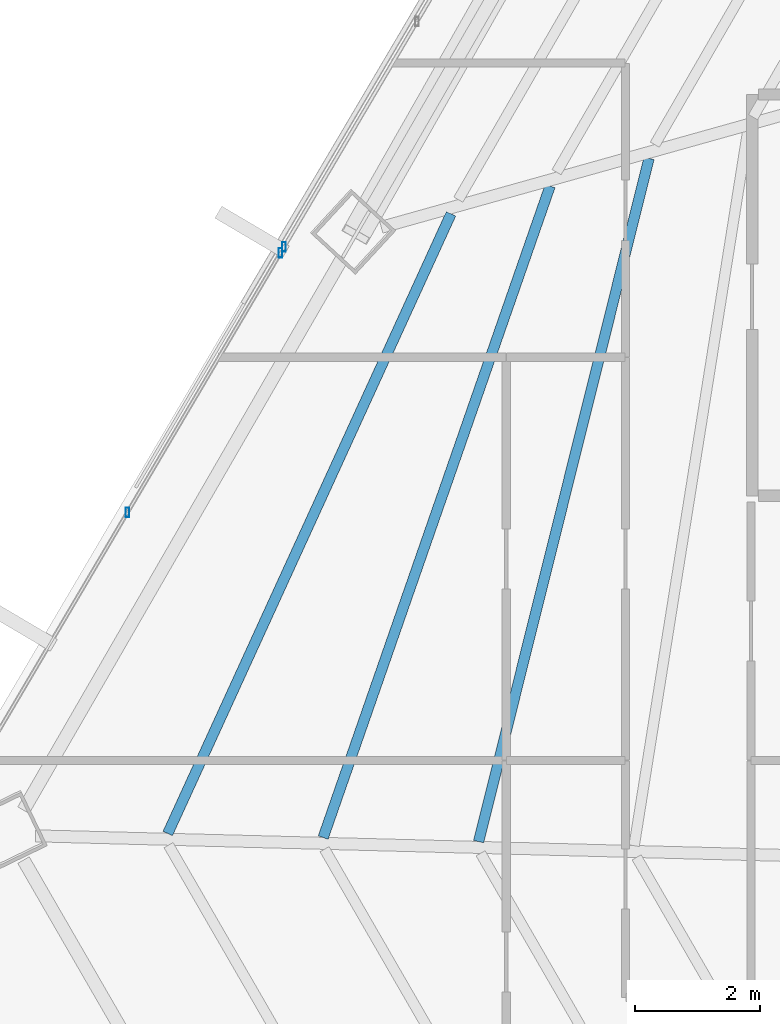
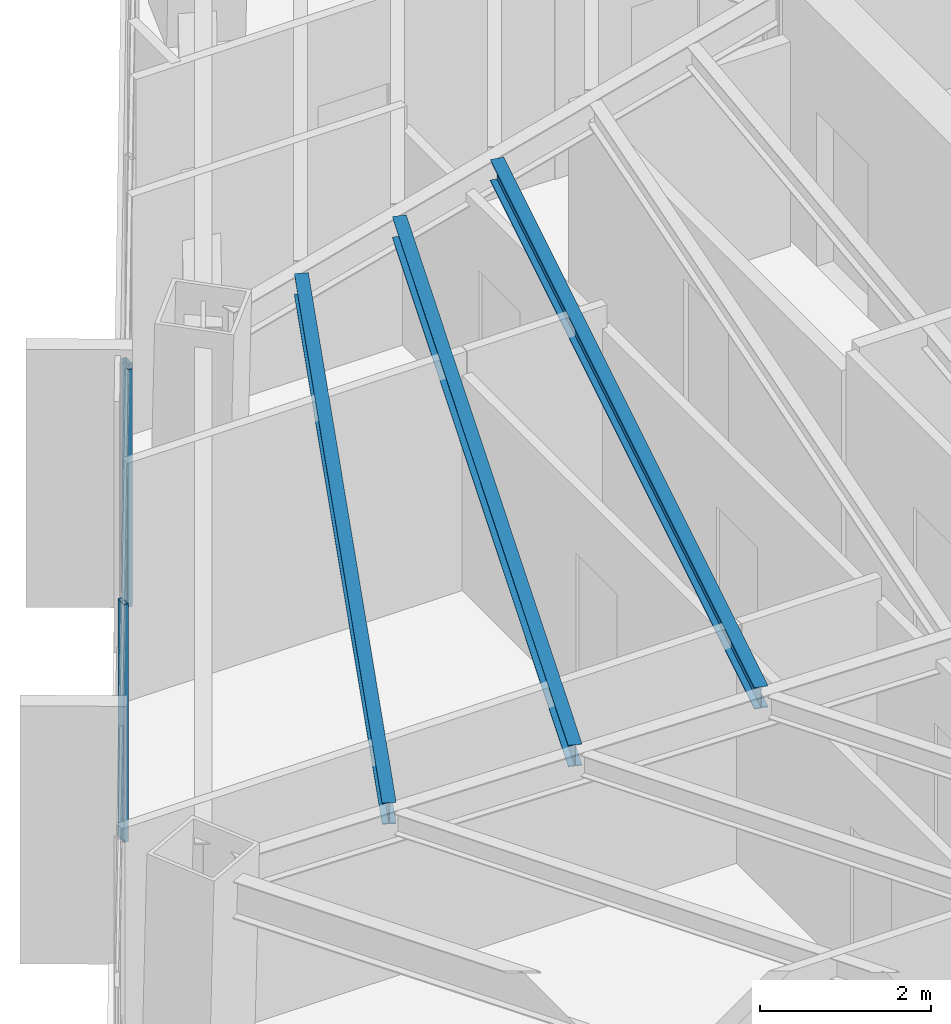
# One storey, part 12 of 41: 3 beams, 3 members, 2 elements without a shape of their own.
"""IFC4 building model written with IfcOpenShell, lengths in metres."""

import ifcopenshell
import ifcopenshell.guid

model = None  # the IFC model being written
_history = None  # IfcOwnerHistory: only IFC2X3 demands one
_inside = {}  # id of a spatial element -> (the spatial element, [elements in it])
_under = {}  # id of a project, library or spatial element -> (it, [spatial elements below it])
_declared = {}  # id of a project -> (the project, [libraries it declares])
_typed = {}  # id of a type object -> (the type object, [elements of that type])
_made_of = {}  # id of a material, layer set ... -> (it, [elements and type objects made of it])


def new_model(schema):
    """Start an empty IFC model of exactly this schema.

    Asked for "IFC4X3", IfcOpenShell would pick the latest addendum, in which some entities
    have other attributes; the version numbers below select the first issue.
    IFC2X3 requires an IfcOwnerHistory on every rooted entity: one is made here for all.
    """
    global model, _history
    if schema == "IFC4X3":
        model = ifcopenshell.file(schema_version=(4, 3, 0, 0))
    else:
        model = ifcopenshell.file(schema=schema)
    _inside.clear()
    _under.clear()
    _declared.clear()
    _typed.clear()
    _made_of.clear()
    _history = None
    if model.schema == "IFC2X3":
        org = make("IfcOrganization", Name="unknown")
        user = make(
            "IfcPersonAndOrganization",
            ThePerson=make("IfcPerson", FamilyName="unknown"),
            TheOrganization=org,
        )
        app = make(
            "IfcApplication",
            ApplicationDeveloper=org,
            Version="unknown",
            ApplicationFullName="unknown",
            ApplicationIdentifier="unknown",
        )
        _history = make(
            "IfcOwnerHistory",
            OwningUser=user,
            OwningApplication=app,
            ChangeAction="ADDED",
            CreationDate=0,
        )
    return model


def make(cls, **values):
    """One entity of the class cls with the attributes given. An attribute that is None is left unset."""
    return model.create_entity(
        cls, **{name: value for name, value in values.items() if value is not None}
    )


def rooted(cls, **values):
    """An entity with a GlobalId (a new one), such as an element, a storey or a relation."""
    return make(cls, GlobalId=ifcopenshell.guid.new(), OwnerHistory=_history, **values)


def si_unit(unit_type, name, prefix=None):
    """IfcSIUnit, for example si_unit("LENGTHUNIT", "METRE", prefix="MILLI")."""
    return make("IfcSIUnit", UnitType=unit_type, Prefix=prefix, Name=name)


def assignment(units):
    """IfcUnitAssignment: the units of a project."""
    return None if units is None else make("IfcUnitAssignment", Units=units)


def point(xyz):
    """IfcCartesianPoint."""
    return None if xyz is None else make("IfcCartesianPoint", Coordinates=xyz)


def direction(xyz):
    """IfcDirection."""
    return None if xyz is None else make("IfcDirection", DirectionRatios=xyz)


def frame(location, z_axis=None, x_axis=None):
    """IfcAxis2Placement3D, a coordinate frame: its origin and axes. An axis left out is left unset."""
    return make(
        "IfcAxis2Placement3D",
        Location=point(location),
        Axis=direction(z_axis),
        RefDirection=direction(x_axis),
    )


def frame_2d(location, x_axis=None):
    """IfcAxis2Placement2D, a coordinate frame in the plane: its origin and x axis."""
    return make(
        "IfcAxis2Placement2D", Location=point(location), RefDirection=direction(x_axis)
    )


def origin():
    """The frame at (0, 0, 0) with its axes left unset."""
    return frame((0.0, 0.0, 0.0))


def origin_2d():
    """The frame at (0, 0) in the plane with its x axis left unset."""
    return frame_2d((0.0, 0.0))


def place(relative_to, where):
    """IfcLocalPlacement: puts the frame where relative to a parent placement (None: the world)."""
    return make(
        "IfcLocalPlacement", PlacementRelTo=relative_to, RelativePlacement=where
    )


def context(
    kind, dimensions, precision=None, world=None, true_north=None, identifier=None
):
    """IfcGeometricRepresentationContext, for example the 3D "Model" context."""
    return make(
        "IfcGeometricRepresentationContext",
        ContextIdentifier=identifier,
        ContextType=kind,
        CoordinateSpaceDimension=dimensions,
        Precision=precision,
        WorldCoordinateSystem=world,
        TrueNorth=true_north,
    )


def subcontext(parent, identifier, kind, view, scale=None):
    """IfcGeometricRepresentationSubContext, for example "Body" below "Model"."""
    return make(
        "IfcGeometricRepresentationSubContext",
        ContextIdentifier=identifier,
        ContextType=kind,
        ParentContext=parent,
        TargetScale=scale,
        TargetView=view,
    )


def project(units=None, contexts=None):
    """IfcProject with its units and contexts."""
    return rooted(
        "IfcProject",
        Name="project",
        RepresentationContexts=contexts,
        UnitsInContext=assignment(units),
    )


def spatial(cls, under=None, at=None, **own):
    """A site, building, storey or space (cls), placed at a placement, below another one or the project."""
    s = rooted(cls, ObjectPlacement=at, **own)
    if under is not None:
        _under.setdefault(under.id(), (under, []))[1].append(s)
    return s


def profile(cls, at=None, kind="AREA", **sizes):
    """A parametric profile (cls). Its sizes go by their IFC names, for example OverallWidth=200.0."""
    return make(cls, ProfileType=kind, Position=at, **sizes)


def hollow_rectangle(**sizes):
    """IfcRectangleHollowProfileDef."""
    return profile("IfcRectangleHollowProfileDef", **sizes)


def i_section(**sizes):
    """IfcIShapeProfileDef."""
    return profile("IfcIShapeProfileDef", **sizes)


def extrude(swept, where, along, depth):
    """IfcExtrudedAreaSolid: the profile swept, set in the frame where, extruded along a direction by depth."""
    return make(
        "IfcExtrudedAreaSolid",
        SweptArea=swept,
        Position=where,
        ExtrudedDirection=direction(along),
        Depth=depth,
    )


def shape(context_of_items, identifier, shape_type, items):
    """IfcShapeRepresentation: the items that make up one representation, for example the "Body"."""
    return make(
        "IfcShapeRepresentation",
        ContextOfItems=context_of_items,
        RepresentationIdentifier=identifier,
        RepresentationType=shape_type,
        Items=items,
    )


def source(mapping_origin, context_of_items, identifier, shape_type, items):
    """IfcRepresentationMap: a shape defined once, which mapped items show again and again."""
    return make(
        "IfcRepresentationMap",
        MappingOrigin=mapping_origin,
        MappedRepresentation=shape(context_of_items, identifier, shape_type, items),
    )


def transform(
    local_origin,
    x_axis=None,
    y_axis=None,
    z_axis=None,
    scale=None,
    scale2=None,
    scale3=None,
    uniform=True,
):
    """IfcCartesianTransformationOperator3D, or its non-uniform kind. x_axis, y_axis, z_axis: its Axis1, 2, 3."""
    if uniform:
        return make(
            "IfcCartesianTransformationOperator3D",
            Axis1=direction(x_axis),
            Axis2=direction(y_axis),
            LocalOrigin=point(local_origin),
            Scale=scale,
            Axis3=direction(z_axis),
        )
    return make(
        "IfcCartesianTransformationOperator3DnonUniform",
        Axis1=direction(x_axis),
        Axis2=direction(y_axis),
        LocalOrigin=point(local_origin),
        Scale=scale,
        Axis3=direction(z_axis),
        Scale2=scale2,
        Scale3=scale3,
    )


def mapped(mapping_source, mapping_target):
    """IfcMappedItem: shows the shape of a source again, moved by a transform."""
    return make(
        "IfcMappedItem", MappingSource=mapping_source, MappingTarget=mapping_target
    )


def material(Name=None, Category=None):
    """IfcMaterial."""
    return make("IfcMaterial", Name=Name, Category=Category)


def material_profile(
    of_material, cross_section, Name=None, Category=None, Priority=None
):
    """IfcMaterialProfile: a cross section and its material."""
    return make(
        "IfcMaterialProfile",
        Name=Name,
        Material=of_material,
        Profile=cross_section,
        Priority=Priority,
        Category=Category,
    )


def profile_set(profiles, Name=None, composite=None):
    """IfcMaterialProfileSet."""
    return make(
        "IfcMaterialProfileSet",
        Name=Name,
        MaterialProfiles=profiles,
        CompositeProfile=composite,
    )


def made_of(thing, what):
    """Note that an element or type object is made of a material, layer set ...; save() writes the relation."""
    if what is not None:
        _made_of.setdefault(what.id(), (what, []))[1].append(thing)
    return thing


def type_object(cls, material=None, **own):
    """A type object (cls), such as IfcWallType, which elements share."""
    return made_of(rooted(cls, **own), material)


def type_shapes(of_type, sources):
    """Give a type object the sources (RepresentationMaps) that its elements show as mapped items."""
    of_type.RepresentationMaps = sources


def element(
    cls,
    number,
    at=None,
    inside=None,
    cuts=None,
    type_object=None,
    material=None,
    context=None,
    identifier="Body",
    shape_type=None,
    held_by="IfcProductDefinitionShape",
    body=None,
    shapes=None,
    **own,
):
    """One element of the class cls, such as IfcWall. Its Tag is "e" and its number.

    at: its placement. inside: the storey or other place that contains it. cuts: it is an
    opening in that element (IfcRelVoidsElement). A single representation is given by context,
    identifier, shape_type and body (its items); several are given by shapes. held_by: the class
    of the entity that holds the representations. save() writes the other relations.
    """
    e = rooted(cls, Tag="e%d" % number, ObjectPlacement=at, **own)
    if body is not None:
        shapes = [shape(context, identifier, shape_type, body)]
    if shapes is not None:
        e.Representation = make(held_by, Representations=shapes)
    if inside is not None:
        _inside.setdefault(inside.id(), (inside, []))[1].append(e)
    if cuts is not None:
        rooted(
            "IfcRelVoidsElement", RelatingBuildingElement=cuts, RelatedOpeningElement=e
        )
    if type_object is not None:
        _typed.setdefault(type_object.id(), (type_object, []))[1].append(e)
    return made_of(e, material)


def aggregate(whole, parts):
    """IfcRelAggregates: a whole, such as a stair, and the parts it consists of."""
    return rooted("IfcRelAggregates", RelatingObject=whole, RelatedObjects=parts)


def save(model, path):
    """Write the relations noted so far, then the file.

    IfcRelAggregates (storeys below a building ...), IfcRelContainedInSpatialStructure (elements
    in a storey), IfcRelDefinesByType, IfcRelAssociatesMaterial and IfcRelDeclares: one each for
    every whole, place, type object, material and project.
    """
    for whole, parts in _under.values():
        aggregate(whole, parts)
    for where, things in _inside.values():
        rooted(
            "IfcRelContainedInSpatialStructure",
            RelatedElements=things,
            RelatingStructure=where,
        )
    for kind, things in _typed.values():
        rooted("IfcRelDefinesByType", RelatedObjects=things, RelatingType=kind)
    for what, things in _made_of.values():
        rooted("IfcRelAssociatesMaterial", RelatedObjects=things, RelatingMaterial=what)
    for by, libraries in _declared.values():
        rooted("IfcRelDeclares", RelatingContext=by, RelatedDefinitions=libraries)
    model.write(path)


model = new_model("IFC4")

# Units and contexts
model_context = context("Model", 3, precision=1e-05, world=origin(), true_north=direction((0.0, 1.0)))
body_context = subcontext(model_context, "Body", "Model", "MODEL_VIEW")
ifc_project = project(units=[si_unit("LENGTHUNIT", "METRE"), si_unit("AREAUNIT", "SQUARE_METRE"), si_unit("VOLUMEUNIT", "CUBIC_METRE"), si_unit("PLANEANGLEUNIT", "RADIAN"), si_unit("MASSUNIT", "GRAM", prefix="KILO")], contexts=[model_context])

# Site, building, storey
site_placement = place(None, origin())
site = spatial("IfcSite", under=ifc_project, at=site_placement, CompositionType="ELEMENT")
building_placement = place(site_placement, origin())
building = spatial("IfcBuilding", under=site, at=building_placement, Name="Caelisora Broadcast Tower", CompositionType="ELEMENT")
storey_placement = place(building_placement, frame((0.0, 0.0, 169.449951171875)))
storey = spatial("IfcBuildingStorey", under=building, at=storey_placement, Name="L44", CompositionType="ELEMENT", Elevation=169.449951171875)

# Beams
ifc_material_1 = material(Name="Steel Grade 350 (AS/NZS 3679.1)", Category="steel")
ifc_material_profile_1 = material_profile(ifc_material_1, i_section(OverallWidth=0.166015625, OverallDepth=0.30712890625, WebThickness=0.006591796875, FlangeThickness=0.01171875, at=origin_2d()), Name="Steel Grade 350 (AS/NZS 3679.1)")
ifc_profile_set_1 = profile_set([ifc_material_profile_1], Name="Steel Grade 350 (AS/NZS 3679.1)")
beam_type = type_object("IfcBeamType", Name="SB03", PredefinedType="JOIST", material=ifc_profile_set_1)
shared_shape_1 = source(origin(), body_context, "Body", "SweptSolid", [
    extrude(i_section(OverallWidth=0.166015625, OverallDepth=0.30712890625, WebThickness=0.006591796875, FlangeThickness=0.01171875, at=origin_2d()), origin(), (0.0, 0.0, 1.0), 11.227294921875),
])
beam_1_placement = place(storey_placement, frame((25.775390625, 28.580810546875, 3.246337890625), z_axis=(-0.241936946665, -0.9702919735, 0.0), x_axis=(0.9702919735, -0.241936946665, 0.0)))
element("IfcBeam", 1, at=beam_1_placement, inside=storey, type_object=beam_type, Name="L44 beam SB03", PredefinedType="JOIST", context=body_context, shape_type="MappedRepresentation", body=[
    mapped(shared_shape_1, transform((0.0, 0.0, 0.0), scale=1.0)),
])
shared_shape_2 = source(origin(), body_context, "Body", "SweptSolid", [
    extrude(i_section(OverallWidth=0.166015625, OverallDepth=0.30712890625, WebThickness=0.006591796875, FlangeThickness=0.01171875, at=origin_2d()), origin(), (0.0, 0.0, 1.0), 10.99951171875),
])
beam_2_placement = place(storey_placement, frame((24.197998046875, 28.13916015625, 3.246337890625), z_axis=(-0.328917460299, -0.944358673551, 0.0), x_axis=(0.944358673551, -0.328917460299, 0.0)))
element("IfcBeam", 2, at=beam_2_placement, inside=storey, type_object=beam_type, Name="L44 beam SB03", PredefinedType="JOIST", context=body_context, shape_type="MappedRepresentation", body=[
    mapped(shared_shape_2, transform((0.0, 0.0, 0.0), scale=1.0)),
])
shared_shape_3 = source(origin(), body_context, "Body", "SweptSolid", [
    extrude(i_section(OverallWidth=0.166015625, OverallDepth=0.30712890625, WebThickness=0.006591796875, FlangeThickness=0.01171875, at=origin_2d()), origin(), (0.0, 0.0, 1.0), 10.863525390625),
])
type_shapes(beam_type, [shared_shape_1, shared_shape_2, shared_shape_3])
beam_3_placement = place(storey_placement, frame((22.618408203125, 27.69677734375, 3.246337890625), z_axis=(-0.415739046819, -0.909483944306, 0.0), x_axis=(0.909483944306, -0.415739046819, 0.0)))
element("IfcBeam", 3, at=beam_3_placement, inside=storey, type_object=beam_type, Name="L44 beam SB03", PredefinedType="JOIST", context=body_context, shape_type="MappedRepresentation", body=[
    mapped(shared_shape_3, transform((0.0, 0.0, 0.0), scale=1.0)),
])

# Curtain wall, members
ifc_material_2 = material(Name="Unitised Aluminium and Low-E Glass Curtain Wall", Category="glass")
curtain_wall_type_1 = type_object("IfcCurtainWallType", Name="CW-Z3", PredefinedType="NOTDEFINED", material=ifc_material_2)
curtain_wall_1_placement = place(storey_placement, origin())
curtain_wall_1 = element("IfcCurtainWall", 4, at=curtain_wall_1_placement, inside=storey, type_object=curtain_wall_type_1, Name="L44 curtain wall CW-Z3", PredefinedType="NOTDEFINED")
ifc_material_3 = material(Name="Aluminium 6063-T6 Anodised Terracotta Bronze", Category="aluminium")
ifc_material_profile_2 = material_profile(ifc_material_3, hollow_rectangle(XDim=0.06005859375, YDim=0.14990234375, WallThickness=0.00341796875, at=origin_2d()), Name="Aluminium 6063-T6 Anodised Terracotta Bronze")
ifc_profile_set_2 = profile_set([ifc_material_profile_2], Name="Aluminium 6063-T6 Anodised Terracotta Bronze")
member_type = type_object("IfcMemberType", Name="CWM-03", PredefinedType="MULLION", material=ifc_profile_set_2)
shared_shape_4 = source(origin(), body_context, "Body", "SweptSolid", [
    extrude(hollow_rectangle(XDim=0.06005859375, YDim=0.14990234375, WallThickness=0.00341796875, at=origin_2d()), origin(), (0.0, 0.0, 1.0), 3.400146484375),
])
type_shapes(member_type, [shared_shape_4])
member_1_placement = place(storey_placement, frame((17.4609375, 22.9375, 0.0), z_axis=(0.0, 0.0, 1.0), x_axis=(1.0, 0.0, 0.0)))
member_1 = element("IfcMember", 5, at=member_1_placement, type_object=member_type, Name="L44-CW-B09 mullion #2", PredefinedType="MULLION", context=body_context, shape_type="MappedRepresentation", body=[
    mapped(shared_shape_4, transform((0.0, 0.0, 0.0), scale=1.0)),
])
member_2_placement = place(storey_placement, frame((19.90087890625, 27.07470703125, 0.0), z_axis=(0.0, 0.0, 1.0), x_axis=(1.0, 0.0, 0.0)))
member_2 = element("IfcMember", 6, at=member_2_placement, type_object=member_type, Name="L44-CW-B09 mullion #3", PredefinedType="MULLION", context=body_context, shape_type="MappedRepresentation", body=[
    mapped(shared_shape_4, transform((0.0, 0.0, 0.0), scale=1.0)),
])
aggregate(curtain_wall_1, [member_1, member_2])

# Curtain wall, member
ifc_material_4 = material(Name="Unitised Aluminium Insulated Shadow-Box Spandrel Curtain Wall", Category="aluminium")
curtain_wall_type_2 = type_object("IfcCurtainWallType", Name="CW-SP2", PredefinedType="NOTDEFINED", material=ifc_material_4)
curtain_wall_2_placement = place(storey_placement, origin())
curtain_wall_2 = element("IfcCurtainWall", 7, at=curtain_wall_2_placement, inside=storey, type_object=curtain_wall_type_2, Name="L44 curtain wall CW-SP2", PredefinedType="NOTDEFINED")
member_3_placement = place(storey_placement, frame((19.956787109375, 27.16943359375, 0.0), z_axis=(0.0, 0.0, 1.0), x_axis=(1.0, 0.0, 0.0)))
member_3 = element("IfcMember", 8, at=member_3_placement, type_object=member_type, Name="L44-CW-B10 mullion #0", PredefinedType="MULLION", context=body_context, shape_type="MappedRepresentation", body=[
    mapped(shared_shape_4, transform((0.0, 0.0, 0.0), scale=1.0)),
])
aggregate(curtain_wall_2, [member_3])

save(model, "model.ifc")
